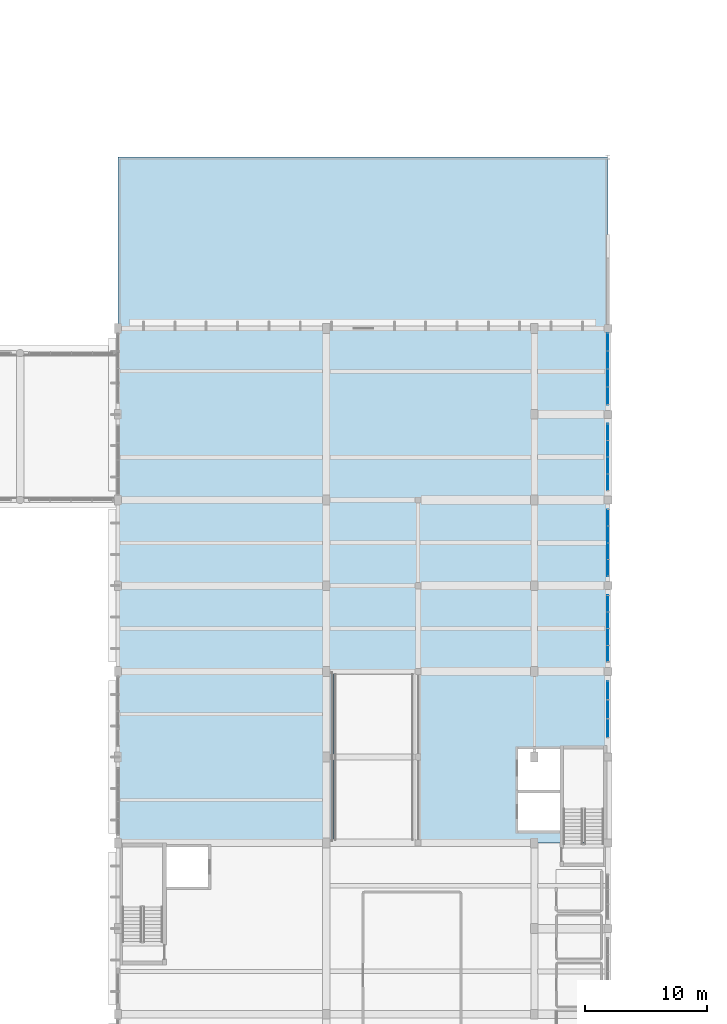
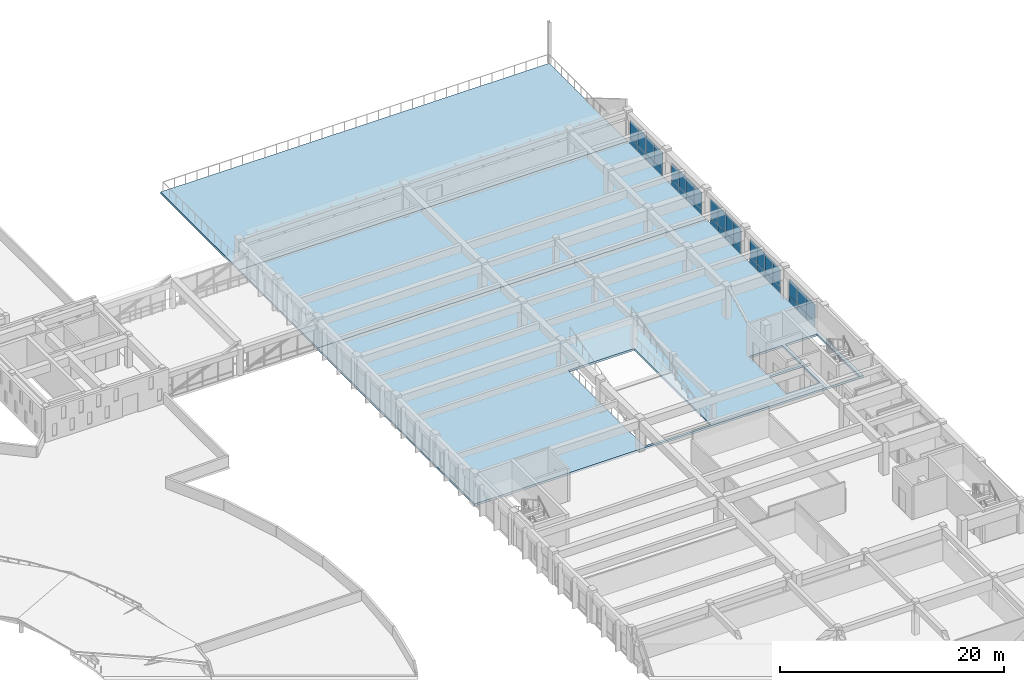
# One storey, part 51 of 77: 38 plates, 3 slabs, 5 elements without a shape of their own.
"""IFC4 building model written with IfcOpenShell, lengths in metres."""

from ifc_helpers import new_model, si_unit, direction, frame, origin, origin_2d, place, context, subcontext, project, spatial, polyline, rectangle, outline, extrude, material, layer, layer_set, type_object, element, aggregate, save


model = new_model("IFC4")

# Units and contexts
model_context = context("Model", 3, precision=1e-05, world=origin(), true_north=direction((0.0, 1.0)))
body_context = subcontext(model_context, "Body", "Model", "MODEL_VIEW")
ifc_project = project(units=[si_unit("LENGTHUNIT", "METRE"), si_unit("AREAUNIT", "SQUARE_METRE"), si_unit("VOLUMEUNIT", "CUBIC_METRE"), si_unit("PLANEANGLEUNIT", "RADIAN"), si_unit("MASSUNIT", "GRAM", prefix="KILO")], contexts=[model_context])

# Site, building, storey
site_placement = place(None, origin())
site = spatial("IfcSite", under=ifc_project, at=site_placement, CompositionType="ELEMENT")
building_placement = place(site_placement, origin())
building = spatial("IfcBuilding", under=site, at=building_placement, Name="Larkveld Mobility Hub", CompositionType="ELEMENT")
storey_placement = place(building_placement, frame((0.0, 0.0, 12.0)))
storey = spatial("IfcBuildingStorey", under=building, at=storey_placement, Name="L03", CompositionType="ELEMENT", Elevation=12.0)

# Curtain wall, plates
ifc_material_1 = material(Name="Anodised aluminium 6063-T6", Category="aluminium")
curtain_wall_type_1 = type_object("IfcCurtainWallType", Name="CW-SYS-07", PredefinedType="NOTDEFINED", material=ifc_material_1)
curtain_wall_1_placement = place(storey_placement, origin())
curtain_wall_1 = element("IfcCurtainWall", 1, at=curtain_wall_1_placement, inside=storey, type_object=curtain_wall_type_1, Name="Upper Mobility and Sports East Glazing L03 CW-151", PredefinedType="NOTDEFINED")
ifc_material_2 = material(Name="Low-E laminated solar-control double glazing", Category="glass")
ifc_layer_1 = layer(ifc_material_2, 0.028076171875, Name="Low-E laminated solar-control double glazing", Category="glass")
ifc_layer_set_1 = layer_set([ifc_layer_1], Name="Low-E laminated solar-control double glazing")
plate_type_1 = type_object("IfcPlateType", Name="CW-PNL-GL01", PredefinedType="CURTAIN_PANEL", material=ifc_layer_set_1)
plate_1_placement = place(storey_placement, frame((152.0, 71.458984375, 0.6640625), z_axis=(0.0, 0.0, 1.0), x_axis=(0.0, 1.0, 0.0)))
plate_1 = element("IfcPlate", 2, at=plate_1_placement, type_object=plate_type_1, Name="CW07 panel 1", PredefinedType="CURTAIN_PANEL", context=body_context, shape_type="SweptSolid", body=[
    extrude(rectangle(XDim=1.3369140625, YDim=0.028076171875, at=origin_2d()), origin(), (0.0, 0.0, 1.0), 1.964111328125),
])
plate_2_placement = place(storey_placement, frame((152.0, 72.81591796875, 0.6640625), z_axis=(0.0, 0.0, 1.0), x_axis=(0.0, 1.0, 0.0)))
plate_2 = element("IfcPlate", 3, at=plate_2_placement, type_object=plate_type_1, Name="CW07 panel 2", PredefinedType="CURTAIN_PANEL", context=body_context, shape_type="SweptSolid", body=[
    extrude(rectangle(XDim=1.35693359375, YDim=0.028076171875, at=origin_2d()), origin(), (0.0, 0.0, 1.0), 1.964111328125),
])
plate_3_placement = place(storey_placement, frame((152.0, 74.18408203125, 0.6640625), z_axis=(0.0, 0.0, 1.0), x_axis=(0.0, 1.0, 0.0)))
plate_3 = element("IfcPlate", 4, at=plate_3_placement, type_object=plate_type_1, Name="CW07 panel 3", PredefinedType="CURTAIN_PANEL", context=body_context, shape_type="SweptSolid", body=[
    extrude(rectangle(XDim=1.35693359375, YDim=0.028076171875, at=origin_2d()), origin(), (0.0, 0.0, 1.0), 1.964111328125),
])
plate_4_placement = place(storey_placement, frame((152.0, 75.541015625, 0.6640625), z_axis=(0.0, 0.0, 1.0), x_axis=(0.0, 1.0, 0.0)))
plate_4 = element("IfcPlate", 5, at=plate_4_placement, type_object=plate_type_1, Name="CW07 panel 4", PredefinedType="CURTAIN_PANEL", context=body_context, shape_type="SweptSolid", body=[
    extrude(rectangle(XDim=1.3369140625, YDim=0.028076171875, at=origin_2d()), origin(), (0.0, 0.0, 1.0), 1.964111328125),
])

curtain_wall_type_2 = type_object("IfcCurtainWallType", Name="CW-SYS-10", PredefinedType="NOTDEFINED", material=ifc_material_1)
curtain_wall_2_placement = place(storey_placement, origin())
curtain_wall_2 = element("IfcCurtainWall", 6, at=curtain_wall_2_placement, inside=storey, type_object=curtain_wall_type_2, Name="Upper Mobility and Sports East Glazing L03 CW-154", PredefinedType="NOTDEFINED")
plate_5_placement = place(storey_placement, frame((152.0, 92.510986328125, 0.65185546875), z_axis=(0.0, 0.0, 1.0), x_axis=(0.0, 1.0, 0.0)))
plate_5 = element("IfcPlate", 7, at=plate_5_placement, type_object=plate_type_1, Name="CW10 panel 1", PredefinedType="CURTAIN_PANEL", context=body_context, shape_type="SweptSolid", body=[
    extrude(rectangle(XDim=1.44091796875, YDim=0.028076171875, at=origin_2d()), origin(), (0.0, 0.0, 1.0), 1.926025390625),
])
plate_6_placement = place(storey_placement, frame((152.0, 93.970947265625, 0.65185546875), z_axis=(0.0, 0.0, 1.0), x_axis=(0.0, 1.0, 0.0)))
plate_6 = element("IfcPlate", 8, at=plate_6_placement, type_object=plate_type_1, Name="CW10 panel 2", PredefinedType="CURTAIN_PANEL", context=body_context, shape_type="SweptSolid", body=[
    extrude(rectangle(XDim=1.4609375, YDim=0.028076171875, at=origin_2d()), origin(), (0.0, 0.0, 1.0), 1.926025390625),
])
plate_7_placement = place(storey_placement, frame((152.0, 95.443115234375, 0.65185546875), z_axis=(0.0, 0.0, 1.0), x_axis=(0.0, 1.0, 0.0)))
plate_7 = element("IfcPlate", 9, at=plate_7_placement, type_object=plate_type_1, Name="CW10 panel 3", PredefinedType="CURTAIN_PANEL", context=body_context, shape_type="SweptSolid", body=[
    extrude(rectangle(XDim=1.4609375, YDim=0.028076171875, at=origin_2d()), origin(), (0.0, 0.0, 1.0), 1.926025390625),
])
plate_8_placement = place(storey_placement, frame((152.0, 96.904052734375, 0.65185546875), z_axis=(0.0, 0.0, 1.0), x_axis=(0.0, 1.0, 0.0)))
plate_8 = element("IfcPlate", 10, at=plate_8_placement, type_object=plate_type_1, Name="CW10 panel 4", PredefinedType="CURTAIN_PANEL", context=body_context, shape_type="SweptSolid", body=[
    extrude(rectangle(XDim=1.44091796875, YDim=0.028076171875, at=origin_2d()), origin(), (0.0, 0.0, 1.0), 1.926025390625),
])

curtain_wall_type_3 = type_object("IfcCurtainWallType", Name="CW-SYS-08", PredefinedType="NOTDEFINED", material=ifc_material_1)
curtain_wall_3_placement = place(storey_placement, origin())
curtain_wall_3 = element("IfcCurtainWall", 11, at=curtain_wall_3_placement, inside=storey, type_object=curtain_wall_type_3, Name="Upper Mobility and Sports East Glazing L03 CW-152", PredefinedType="NOTDEFINED")
ifc_material_3 = material(Name="Acoustic solar-control laminated double glazing", Category="glass")
ifc_layer_2 = layer(ifc_material_3, 0.031982421875, Name="Acoustic solar-control laminated double glazing", Category="glass")
ifc_layer_set_2 = layer_set([ifc_layer_2], Name="Acoustic solar-control laminated double glazing")
plate_type_2 = type_object("IfcPlateType", Name="CW-PNL-GL02", PredefinedType="CURTAIN_PANEL", material=ifc_layer_set_2)
plate_9_placement = place(storey_placement, frame((152.0, 78.458984375, 0.692138671875), z_axis=(0.0, 0.0, 1.0), x_axis=(0.0, 1.0, 0.0)))
plate_9 = element("IfcPlate", 12, at=plate_9_placement, type_object=plate_type_2, Name="CW08 panel 1", PredefinedType="CURTAIN_PANEL", context=body_context, shape_type="SweptSolid", body=[
    extrude(rectangle(XDim=1.3369140625, YDim=0.031982421875, at=origin_2d()), origin(), (0.0, 0.0, 1.0), 2.0458984375),
])
plate_10_placement = place(storey_placement, frame((152.0, 79.81591796875, 0.692138671875), z_axis=(0.0, 0.0, 1.0), x_axis=(0.0, 1.0, 0.0)))
plate_10 = element("IfcPlate", 13, at=plate_10_placement, type_object=plate_type_2, Name="CW08 panel 2", PredefinedType="CURTAIN_PANEL", context=body_context, shape_type="SweptSolid", body=[
    extrude(rectangle(XDim=1.35693359375, YDim=0.031982421875, at=origin_2d()), origin(), (0.0, 0.0, 1.0), 2.0458984375),
])
plate_11_placement = place(storey_placement, frame((152.0, 81.18408203125, 0.692138671875), z_axis=(0.0, 0.0, 1.0), x_axis=(0.0, 1.0, 0.0)))
plate_11 = element("IfcPlate", 14, at=plate_11_placement, type_object=plate_type_2, Name="CW08 panel 3", PredefinedType="CURTAIN_PANEL", context=body_context, shape_type="SweptSolid", body=[
    extrude(rectangle(XDim=1.35693359375, YDim=0.031982421875, at=origin_2d()), origin(), (0.0, 0.0, 1.0), 2.0458984375),
])
plate_12_placement = place(storey_placement, frame((152.0, 82.541015625, 0.692138671875), z_axis=(0.0, 0.0, 1.0), x_axis=(0.0, 1.0, 0.0)))
plate_12 = element("IfcPlate", 15, at=plate_12_placement, type_object=plate_type_2, Name="CW08 panel 4", PredefinedType="CURTAIN_PANEL", context=body_context, shape_type="SweptSolid", body=[
    extrude(rectangle(XDim=1.3369140625, YDim=0.031982421875, at=origin_2d()), origin(), (0.0, 0.0, 1.0), 2.0458984375),
])

curtain_wall_type_4 = type_object("IfcCurtainWallType", Name="CW-SYS-06", PredefinedType="NOTDEFINED", material=ifc_material_1)
curtain_wall_4_placement = place(storey_placement, origin())
curtain_wall_4 = element("IfcCurtainWall", 16, at=curtain_wall_4_placement, inside=storey, type_object=curtain_wall_type_4, Name="Upper Mobility and Sports East Glazing L03 CW-150", PredefinedType="NOTDEFINED")
ifc_material_4 = material(Name="Tinted safety double glazing", Category="glass")
ifc_layer_3 = layer(ifc_material_4, 0.035888671875, Name="Tinted safety double glazing", Category="glass")
ifc_layer_set_3 = layer_set([ifc_layer_3], Name="Tinted safety double glazing")
plate_type_3 = type_object("IfcPlateType", Name="CW-PNL-GL03", PredefinedType="CURTAIN_PANEL", material=ifc_layer_set_3)
plate_13_placement = place(storey_placement, frame((152.0, 65.365966796875, 0.62744140625), z_axis=(0.0, 0.0, 1.0), x_axis=(0.0, 1.0, 0.0)))
plate_13 = element("IfcPlate", 17, at=plate_13_placement, type_object=plate_type_3, Name="CW06 panel 1", PredefinedType="CURTAIN_PANEL", context=body_context, shape_type="SweptSolid", body=[
    extrude(rectangle(XDim=1.52197265625, YDim=0.035888671875, at=origin_2d()), origin(), (0.0, 0.0, 1.0), 1.85107421875),
])
plate_14_placement = place(storey_placement, frame((152.0, 66.906982421875, 0.62744140625), z_axis=(0.0, 0.0, 1.0), x_axis=(0.0, 1.0, 0.0)))
plate_14 = element("IfcPlate", 18, at=plate_14_placement, type_object=plate_type_3, Name="CW06 panel 2", PredefinedType="CURTAIN_PANEL", context=body_context, shape_type="SweptSolid", body=[
    extrude(rectangle(XDim=1.5419921875, YDim=0.035888671875, at=origin_2d()), origin(), (0.0, 0.0, 1.0), 1.85107421875),
])
plate_15_placement = place(storey_placement, frame((152.0, 68.448974609375, 0.62744140625), z_axis=(0.0, 0.0, 1.0), x_axis=(0.0, 1.0, 0.0)))
plate_15 = element("IfcPlate", 19, at=plate_15_placement, type_object=plate_type_3, Name="CW06 panel 3", PredefinedType="CURTAIN_PANEL", context=body_context, shape_type="SweptSolid", body=[
    extrude(rectangle(XDim=1.52197265625, YDim=0.035888671875, at=origin_2d()), origin(), (0.0, 0.0, 1.0), 1.85107421875),
])

curtain_wall_type_5 = type_object("IfcCurtainWallType", Name="CW-SYS-09", PredefinedType="NOTDEFINED", material=ifc_material_1)
curtain_wall_5_placement = place(storey_placement, origin())
curtain_wall_5 = element("IfcCurtainWall", 20, at=curtain_wall_5_placement, inside=storey, type_object=curtain_wall_type_5, Name="Upper Mobility and Sports East Glazing L03 CW-153", PredefinedType="NOTDEFINED")
plate_16_placement = place(storey_placement, frame((152.0, 85.458984375, 0.614013671875), z_axis=(0.0, 0.0, 1.0), x_axis=(0.0, 1.0, 0.0)))
plate_16 = element("IfcPlate", 21, at=plate_16_placement, type_object=plate_type_3, Name="CW09 panel 1", PredefinedType="CURTAIN_PANEL", context=body_context, shape_type="SweptSolid", body=[
    extrude(rectangle(XDim=1.3369140625, YDim=0.035888671875, at=origin_2d()), origin(), (0.0, 0.0, 1.0), 1.81396484375),
])
plate_17_placement = place(storey_placement, frame((152.0, 86.81591796875, 0.614013671875), z_axis=(0.0, 0.0, 1.0), x_axis=(0.0, 1.0, 0.0)))
plate_17 = element("IfcPlate", 22, at=plate_17_placement, type_object=plate_type_3, Name="CW09 panel 2", PredefinedType="CURTAIN_PANEL", context=body_context, shape_type="SweptSolid", body=[
    extrude(rectangle(XDim=1.35693359375, YDim=0.035888671875, at=origin_2d()), origin(), (0.0, 0.0, 1.0), 1.81396484375),
])
plate_18_placement = place(storey_placement, frame((152.0, 88.18408203125, 0.614013671875), z_axis=(0.0, 0.0, 1.0), x_axis=(0.0, 1.0, 0.0)))
plate_18 = element("IfcPlate", 23, at=plate_18_placement, type_object=plate_type_3, Name="CW09 panel 3", PredefinedType="CURTAIN_PANEL", context=body_context, shape_type="SweptSolid", body=[
    extrude(rectangle(XDim=1.35693359375, YDim=0.035888671875, at=origin_2d()), origin(), (0.0, 0.0, 1.0), 1.81396484375),
])
plate_19_placement = place(storey_placement, frame((152.0, 89.541015625, 0.614013671875), z_axis=(0.0, 0.0, 1.0), x_axis=(0.0, 1.0, 0.0)))
plate_19 = element("IfcPlate", 24, at=plate_19_placement, type_object=plate_type_3, Name="CW09 panel 4", PredefinedType="CURTAIN_PANEL", context=body_context, shape_type="SweptSolid", body=[
    extrude(rectangle(XDim=1.3369140625, YDim=0.035888671875, at=origin_2d()), origin(), (0.0, 0.0, 1.0), 1.81396484375),
])

# Plate
ifc_material_5 = material(Name="Insulated fluoropolymer aluminium spandrel", Category="aluminium")
ifc_layer_4 = layer(ifc_material_5, 0.06494140625, Name="Insulated fluoropolymer aluminium spandrel", Category="aluminium")
ifc_layer_set_4 = layer_set([ifc_layer_4], Name="Insulated fluoropolymer aluminium spandrel")
plate_type_4 = type_object("IfcPlateType", Name="CW-PNL-SP01", PredefinedType="CURTAIN_PANEL", material=ifc_layer_set_4)
plate_20_placement = place(storey_placement, frame((152.0, 71.458984375, 0.0), z_axis=(0.0, 0.0, 1.0), x_axis=(0.0, 1.0, 0.0)))
plate_20 = element("IfcPlate", 25, at=plate_20_placement, type_object=plate_type_4, Name="CW07 spandrel 1", PredefinedType="CURTAIN_PANEL", context=body_context, shape_type="SweptSolid", body=[
    extrude(rectangle(XDim=1.3369140625, YDim=0.06494140625, at=origin_2d()), origin(), (0.0, 0.0, 1.0), 0.652099609375),
])

plate_21_placement = place(storey_placement, frame((152.0, 72.81591796875, 0.0), z_axis=(0.0, 0.0, 1.0), x_axis=(0.0, 1.0, 0.0)))
plate_21 = element("IfcPlate", 26, at=plate_21_placement, type_object=plate_type_4, Name="CW07 spandrel 2", PredefinedType="CURTAIN_PANEL", context=body_context, shape_type="SweptSolid", body=[
    extrude(rectangle(XDim=1.35693359375, YDim=0.06494140625, at=origin_2d()), origin(), (0.0, 0.0, 1.0), 0.652099609375),
])

plate_22_placement = place(storey_placement, frame((152.0, 74.18408203125, 0.0), z_axis=(0.0, 0.0, 1.0), x_axis=(0.0, 1.0, 0.0)))
plate_22 = element("IfcPlate", 27, at=plate_22_placement, type_object=plate_type_4, Name="CW07 spandrel 3", PredefinedType="CURTAIN_PANEL", context=body_context, shape_type="SweptSolid", body=[
    extrude(rectangle(XDim=1.35693359375, YDim=0.06494140625, at=origin_2d()), origin(), (0.0, 0.0, 1.0), 0.652099609375),
])

plate_23_placement = place(storey_placement, frame((152.0, 75.541015625, 0.0), z_axis=(0.0, 0.0, 1.0), x_axis=(0.0, 1.0, 0.0)))
plate_23 = element("IfcPlate", 28, at=plate_23_placement, type_object=plate_type_4, Name="CW07 spandrel 4", PredefinedType="CURTAIN_PANEL", context=body_context, shape_type="SweptSolid", body=[
    extrude(rectangle(XDim=1.3369140625, YDim=0.06494140625, at=origin_2d()), origin(), (0.0, 0.0, 1.0), 0.652099609375),
])

aggregate(curtain_wall_1, [plate_20, plate_1, plate_21, plate_2, plate_22, plate_3, plate_23, plate_4])

plate_24_placement = place(storey_placement, frame((152.0, 85.458984375, -0.00048828125), z_axis=(0.0, 0.0, 1.0), x_axis=(0.0, 1.0, 0.0)))
plate_24 = element("IfcPlate", 29, at=plate_24_placement, type_object=plate_type_4, Name="CW09 spandrel 1", PredefinedType="CURTAIN_PANEL", context=body_context, shape_type="SweptSolid", body=[
    extrude(rectangle(XDim=1.3369140625, YDim=0.06494140625, at=origin_2d()), origin(), (0.0, 0.0, 1.0), 0.60302734375),
])

plate_25_placement = place(storey_placement, frame((152.0, 86.81591796875, -0.00048828125), z_axis=(0.0, 0.0, 1.0), x_axis=(0.0, 1.0, 0.0)))
plate_25 = element("IfcPlate", 30, at=plate_25_placement, type_object=plate_type_4, Name="CW09 spandrel 2", PredefinedType="CURTAIN_PANEL", context=body_context, shape_type="SweptSolid", body=[
    extrude(rectangle(XDim=1.35693359375, YDim=0.06494140625, at=origin_2d()), origin(), (0.0, 0.0, 1.0), 0.60302734375),
])

plate_26_placement = place(storey_placement, frame((152.0, 88.18408203125, -0.00048828125), z_axis=(0.0, 0.0, 1.0), x_axis=(0.0, 1.0, 0.0)))
plate_26 = element("IfcPlate", 31, at=plate_26_placement, type_object=plate_type_4, Name="CW09 spandrel 3", PredefinedType="CURTAIN_PANEL", context=body_context, shape_type="SweptSolid", body=[
    extrude(rectangle(XDim=1.35693359375, YDim=0.06494140625, at=origin_2d()), origin(), (0.0, 0.0, 1.0), 0.60302734375),
])

plate_27_placement = place(storey_placement, frame((152.0, 89.541015625, -0.00048828125), z_axis=(0.0, 0.0, 1.0), x_axis=(0.0, 1.0, 0.0)))
plate_27 = element("IfcPlate", 32, at=plate_27_placement, type_object=plate_type_4, Name="CW09 spandrel 4", PredefinedType="CURTAIN_PANEL", context=body_context, shape_type="SweptSolid", body=[
    extrude(rectangle(XDim=1.3369140625, YDim=0.06494140625, at=origin_2d()), origin(), (0.0, 0.0, 1.0), 0.60302734375),
])

aggregate(curtain_wall_5, [plate_24, plate_16, plate_25, plate_17, plate_26, plate_18, plate_27, plate_19])

ifc_material_6 = material(Name="Insulated terracotta-toned aluminium spandrel", Category="masonry")
ifc_layer_5 = layer(ifc_material_6, 0.080078125, Name="Insulated terracotta-toned aluminium spandrel", Category="masonry")
ifc_layer_set_5 = layer_set([ifc_layer_5], Name="Insulated terracotta-toned aluminium spandrel")
plate_type_5 = type_object("IfcPlateType", Name="CW-PNL-SP02", PredefinedType="CURTAIN_PANEL", material=ifc_layer_set_5)
plate_28_placement = place(storey_placement, frame((152.0, 65.365966796875, -0.00048828125), z_axis=(0.0, 0.0, 1.0), x_axis=(0.0, 1.0, 0.0)))
plate_28 = element("IfcPlate", 33, at=plate_28_placement, type_object=plate_type_5, Name="CW06 spandrel 1", PredefinedType="CURTAIN_PANEL", context=body_context, shape_type="SweptSolid", body=[
    extrude(rectangle(XDim=1.52197265625, YDim=0.080078125, at=origin_2d()), origin(), (0.0, 0.0, 1.0), 0.614990234375),
])

plate_29_placement = place(storey_placement, frame((152.0, 66.906982421875, -0.00048828125), z_axis=(0.0, 0.0, 1.0), x_axis=(0.0, 1.0, 0.0)))
plate_29 = element("IfcPlate", 34, at=plate_29_placement, type_object=plate_type_5, Name="CW06 spandrel 2", PredefinedType="CURTAIN_PANEL", context=body_context, shape_type="SweptSolid", body=[
    extrude(rectangle(XDim=1.5419921875, YDim=0.080078125, at=origin_2d()), origin(), (0.0, 0.0, 1.0), 0.614990234375),
])

plate_30_placement = place(storey_placement, frame((152.0, 68.448974609375, -0.00048828125), z_axis=(0.0, 0.0, 1.0), x_axis=(0.0, 1.0, 0.0)))
plate_30 = element("IfcPlate", 35, at=plate_30_placement, type_object=plate_type_5, Name="CW06 spandrel 3", PredefinedType="CURTAIN_PANEL", context=body_context, shape_type="SweptSolid", body=[
    extrude(rectangle(XDim=1.52197265625, YDim=0.080078125, at=origin_2d()), origin(), (0.0, 0.0, 1.0), 0.614990234375),
])

aggregate(curtain_wall_4, [plate_28, plate_13, plate_29, plate_14, plate_30, plate_15])

plate_31_placement = place(storey_placement, frame((152.0, 78.458984375, 0.0), z_axis=(0.0, 0.0, 1.0), x_axis=(0.0, 1.0, 0.0)))
plate_31 = element("IfcPlate", 36, at=plate_31_placement, type_object=plate_type_5, Name="CW08 spandrel 1", PredefinedType="CURTAIN_PANEL", context=body_context, shape_type="SweptSolid", body=[
    extrude(rectangle(XDim=1.3369140625, YDim=0.080078125, at=origin_2d()), origin(), (0.0, 0.0, 1.0), 0.679931640625),
])

plate_32_placement = place(storey_placement, frame((152.0, 79.81591796875, 0.0), z_axis=(0.0, 0.0, 1.0), x_axis=(0.0, 1.0, 0.0)))
plate_32 = element("IfcPlate", 37, at=plate_32_placement, type_object=plate_type_5, Name="CW08 spandrel 2", PredefinedType="CURTAIN_PANEL", context=body_context, shape_type="SweptSolid", body=[
    extrude(rectangle(XDim=1.35693359375, YDim=0.080078125, at=origin_2d()), origin(), (0.0, 0.0, 1.0), 0.679931640625),
])

plate_33_placement = place(storey_placement, frame((152.0, 81.18408203125, 0.0), z_axis=(0.0, 0.0, 1.0), x_axis=(0.0, 1.0, 0.0)))
plate_33 = element("IfcPlate", 38, at=plate_33_placement, type_object=plate_type_5, Name="CW08 spandrel 3", PredefinedType="CURTAIN_PANEL", context=body_context, shape_type="SweptSolid", body=[
    extrude(rectangle(XDim=1.35693359375, YDim=0.080078125, at=origin_2d()), origin(), (0.0, 0.0, 1.0), 0.679931640625),
])

plate_34_placement = place(storey_placement, frame((152.0, 82.541015625, 0.0), z_axis=(0.0, 0.0, 1.0), x_axis=(0.0, 1.0, 0.0)))
plate_34 = element("IfcPlate", 39, at=plate_34_placement, type_object=plate_type_5, Name="CW08 spandrel 4", PredefinedType="CURTAIN_PANEL", context=body_context, shape_type="SweptSolid", body=[
    extrude(rectangle(XDim=1.3369140625, YDim=0.080078125, at=origin_2d()), origin(), (0.0, 0.0, 1.0), 0.679931640625),
])

aggregate(curtain_wall_3, [plate_31, plate_9, plate_32, plate_10, plate_33, plate_11, plate_34, plate_12])

plate_35_placement = place(storey_placement, frame((152.0, 92.510986328125, 0.0), z_axis=(0.0, 0.0, 1.0), x_axis=(0.0, 1.0, 0.0)))
plate_35 = element("IfcPlate", 40, at=plate_35_placement, type_object=plate_type_5, Name="CW10 spandrel 1", PredefinedType="CURTAIN_PANEL", context=body_context, shape_type="SweptSolid", body=[
    extrude(rectangle(XDim=1.44091796875, YDim=0.080078125, at=origin_2d()), origin(), (0.0, 0.0, 1.0), 0.639892578125),
])

plate_36_placement = place(storey_placement, frame((152.0, 93.970947265625, 0.0), z_axis=(0.0, 0.0, 1.0), x_axis=(0.0, 1.0, 0.0)))
plate_36 = element("IfcPlate", 41, at=plate_36_placement, type_object=plate_type_5, Name="CW10 spandrel 2", PredefinedType="CURTAIN_PANEL", context=body_context, shape_type="SweptSolid", body=[
    extrude(rectangle(XDim=1.4609375, YDim=0.080078125, at=origin_2d()), origin(), (0.0, 0.0, 1.0), 0.639892578125),
])

plate_37_placement = place(storey_placement, frame((152.0, 95.443115234375, 0.0), z_axis=(0.0, 0.0, 1.0), x_axis=(0.0, 1.0, 0.0)))
plate_37 = element("IfcPlate", 42, at=plate_37_placement, type_object=plate_type_5, Name="CW10 spandrel 3", PredefinedType="CURTAIN_PANEL", context=body_context, shape_type="SweptSolid", body=[
    extrude(rectangle(XDim=1.4609375, YDim=0.080078125, at=origin_2d()), origin(), (0.0, 0.0, 1.0), 0.639892578125),
])

plate_38_placement = place(storey_placement, frame((152.0, 96.904052734375, 0.0), z_axis=(0.0, 0.0, 1.0), x_axis=(0.0, 1.0, 0.0)))
plate_38 = element("IfcPlate", 43, at=plate_38_placement, type_object=plate_type_5, Name="CW10 spandrel 4", PredefinedType="CURTAIN_PANEL", context=body_context, shape_type="SweptSolid", body=[
    extrude(rectangle(XDim=1.44091796875, YDim=0.080078125, at=origin_2d()), origin(), (0.0, 0.0, 1.0), 0.639892578125),
])

aggregate(curtain_wall_2, [plate_35, plate_5, plate_36, plate_6, plate_37, plate_7, plate_38, plate_8])

# Slabs
ifc_material_7 = material(Name="Concrete C40/50", Category="concrete")
ifc_layer_6 = layer(ifc_material_7, 0.215087890625, Name="Concrete C40/50", Category="concrete")
ifc_layer_set_6 = layer_set([ifc_layer_6], Name="Concrete C40/50")
slab_type_1 = type_object("IfcSlabType", Name="SL-DT-215", PredefinedType="FLOOR", material=ifc_layer_set_6)
slab_1_placement = place(storey_placement, frame((0.0, 0.0, -0.215087890625)))
element("IfcSlab", 44, at=slab_1_placement, inside=storey, type_object=slab_type_1, Name="EV Wing and Sports Pavilion Slab L03-146", PredefinedType="FLOOR", context=body_context, shape_type="SweptSolid", body=[
    extrude(outline(polyline([(112.0, 84.0), (152.0, 84.0), (152.0, 98.0), (112.0, 98.0), (112.0, 84.0)])), origin(), (0.0, 0.0, 1.0), 0.215087890625),
])
ifc_layer_7 = layer(ifc_material_7, 0.22998046875, Name="Concrete C40/50", Category="concrete")
ifc_layer_set_7 = layer_set([ifc_layer_7], Name="Concrete C40/50")
slab_type_2 = type_object("IfcSlabType", Name="SL-FLR-230", PredefinedType="FLOOR", material=ifc_layer_set_7)
slab_2_placement = place(storey_placement, frame((0.0, 0.0, -0.22998046875)))
element("IfcSlab", 45, at=slab_2_placement, inside=storey, type_object=slab_type_2, Name="EV Wing and Sports Pavilion Slab L03-145", PredefinedType="FLOOR", context=body_context, shape_type="SweptSolid", body=[
    extrude(outline(polyline([(112.0, 56.0), (152.0, 56.0), (152.0, 84.0), (112.0, 84.0), (112.0, 56.0)]), holes=[polyline([(148.3798828125, 56.06005859375), (148.3798828125, 63.64990234375), (151.64990234375, 63.64990234375), (151.64990234375, 56.06005859375), (148.3798828125, 56.06005859375)]), polyline([(144.679931640625, 60.300048828125), (144.679931640625, 63.64990234375), (148.080078125, 63.64990234375), (148.080078125, 60.300048828125), (144.679931640625, 60.300048828125)]), polyline([(144.679931640625, 57.0), (144.679931640625, 60.080078125), (148.080078125, 60.080078125), (148.080078125, 57.0), (144.679931640625, 57.0)]), polyline([(129.580078125, 56.22998046875), (129.580078125, 69.830078125), (136.39990234375, 69.830078125), (136.39990234375, 56.22998046875), (129.580078125, 56.22998046875)])]), origin(), (0.0, 0.0, 1.0), 0.22998046875),
])
ifc_layer_8 = layer(ifc_material_7, 0.22509765625, Name="Concrete C40/50", Category="concrete")
ifc_layer_set_8 = layer_set([ifc_layer_8], Name="Concrete C40/50")
slab_type_3 = type_object("IfcSlabType", Name="SL-TER-225", PredefinedType="FLOOR", material=ifc_layer_set_8)
slab_3_placement = place(storey_placement, frame((0.0, 0.0, -0.22509765625)))
element("IfcSlab", 46, at=slab_3_placement, inside=storey, type_object=slab_type_3, Name="Stepped North Terrace and Veranda Slab L03-147", PredefinedType="FLOOR", context=body_context, shape_type="SweptSolid", body=[
    extrude(outline(polyline([(112.0, 98.0), (152.0, 98.0), (152.0, 112.0), (112.0, 112.0), (112.0, 98.0)])), origin(), (0.0, 0.0, 1.0), 0.22509765625),
])

save(model, "model.ifc")
